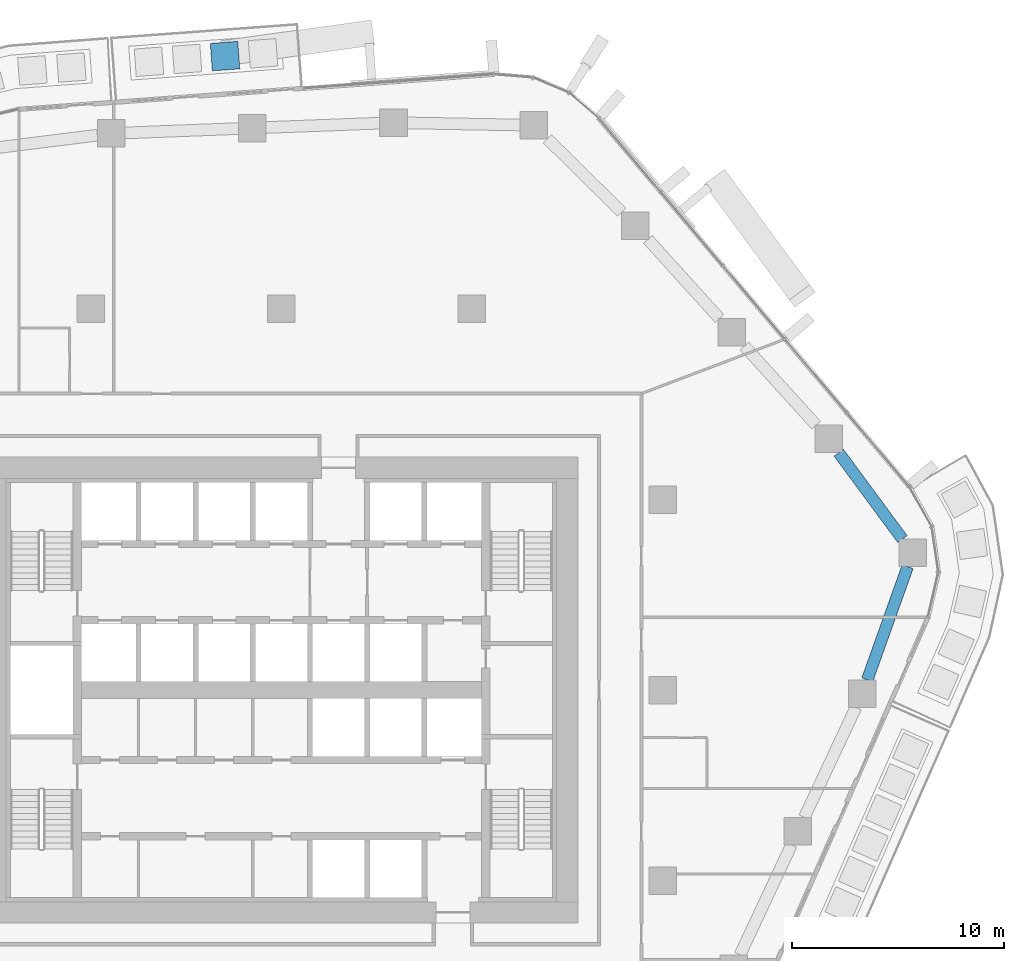
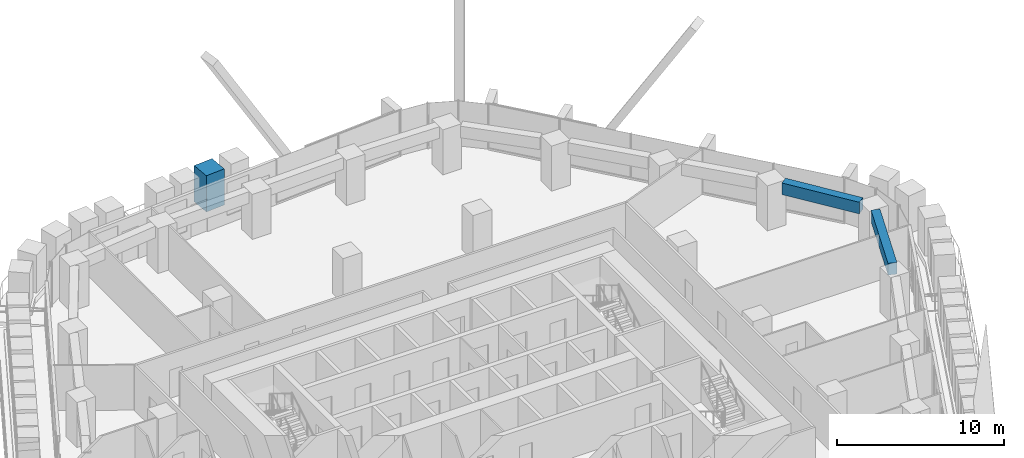
# One storey, part 7 of 24: 2 beams, 1 member.
"""IFC4 building model written with IfcOpenShell, lengths in metres."""

from ifc_helpers import new_model, si_unit, direction, frame, origin, origin_2d, place, context, subcontext, project, spatial, rectangle, extrude, material, material_profile, profile_set, type_object, element, save


model = new_model("IFC4")

# Units and contexts
model_context = context("Model", 3, precision=1e-05, world=origin(), true_north=direction((0.0, 1.0)))
body_context = subcontext(model_context, "Body", "Model", "MODEL_VIEW")
ifc_project = project(units=[si_unit("LENGTHUNIT", "METRE"), si_unit("AREAUNIT", "SQUARE_METRE"), si_unit("VOLUMEUNIT", "CUBIC_METRE"), si_unit("PLANEANGLEUNIT", "RADIAN"), si_unit("MASSUNIT", "GRAM", prefix="KILO")], contexts=[model_context])

# Site, building, storey
site_placement = place(None, origin())
site = spatial("IfcSite", under=ifc_project, at=site_placement, CompositionType="ELEMENT")
building_placement = place(site_placement, origin())
building = spatial("IfcBuilding", under=site, at=building_placement, Name="Dongbaek Canopy Tower", CompositionType="ELEMENT")
storey_placement = place(building_placement, frame((0.0, 0.0, 128.5)))
storey = spatial("IfcBuildingStorey", under=building, at=storey_placement, Name="L28", CompositionType="ELEMENT", Elevation=128.5)

# Beams
ifc_material_1 = material(Name="Concrete C80", Category="concrete")
ifc_material_profile_1 = material_profile(ifc_material_1, rectangle(XDim=0.550048828125, YDim=0.85009765625, at=origin_2d()), Name="RC EDGE BEAM 550x850 C80")
ifc_profile_set_1 = profile_set([ifc_material_profile_1], Name="Concrete C80")
beam_type = type_object("IfcBeamType", Name="RC EDGE BEAM 550x850 C80", PredefinedType="BEAM", material=ifc_profile_set_1)
beam_1_placement = place(storey_placement, frame((26.320556640625, 11.2119140625, 2.875), z_axis=(0.593780308667, -0.804627208736, 0.0), x_axis=(0.804627208736, 0.593780308667, 0.0)))
element("IfcBeam", 1, at=beam_1_placement, inside=storey, type_object=beam_type, Name="EDGEBEAM:L28:20", PredefinedType="BEAM", context=body_context, shape_type="SweptSolid", body=[
    extrude(rectangle(XDim=0.550048828125, YDim=0.85009765625, at=origin_2d()), origin(), (0.0, 0.0, 1.0), 5.070556640625),
])
beam_2_placement = place(storey_placement, frame((29.578857421875, 5.83203125, 2.875), z_axis=(-0.33649709705, -0.941684503258, 0.0), x_axis=(0.941684503258, -0.33649709705, 0.0)))
element("IfcBeam", 2, at=beam_2_placement, inside=storey, type_object=beam_type, Name="EDGEBEAM:L28:21", PredefinedType="BEAM", context=body_context, shape_type="SweptSolid", body=[
    extrude(rectangle(XDim=0.550048828125, YDim=0.85009765625, at=origin_2d()), origin(), (0.0, 0.0, 1.0), 5.677978515625),
])

# Member
ifc_material_2 = material(Name="Concrete C40/50 planter mass with planting", Category="concrete")
ifc_material_profile_2 = material_profile(ifc_material_2, rectangle(XDim=1.300048828125, YDim=1.300048828125, at=origin_2d()), Name="Terrace PLANTER shrub mass 1300 x 1300")
ifc_profile_set_2 = profile_set([ifc_material_profile_2], Name="Concrete C40/50 planter mass with planting")
member_type = type_object("IfcMemberType", Name="Terrace PLANTER shrub mass 1300 x 1300", PredefinedType="USERDEFINED", material=ifc_profile_set_2)
member_placement = place(storey_placement, frame((-2.6591796875, 29.939453125, 0.419921875), z_axis=(0.0, 0.0, 1.0), x_axis=(-0.073519152761, 0.997293805344, 0.0)))
element("IfcMember", 3, at=member_placement, inside=storey, type_object=member_type, Name="Planter shrubs L28 1.2", ObjectType="PLANTER", PredefinedType="USERDEFINED", context=body_context, shape_type="SweptSolid", body=[
    extrude(rectangle(XDim=1.300048828125, YDim=1.300048828125, at=origin_2d()), origin(), (0.0, 0.0, 1.0), 2.650146484375),
])

save(model, "model.ifc")
